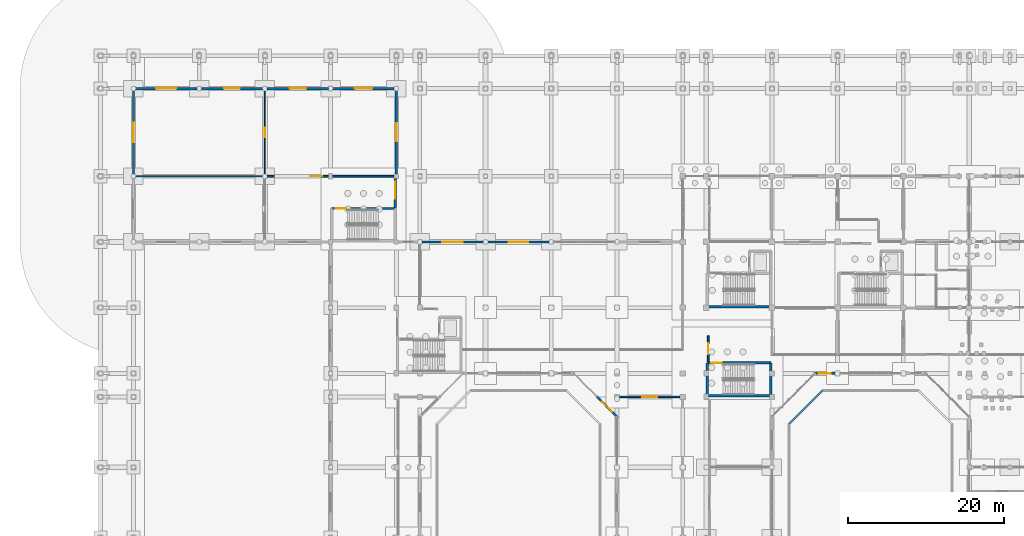
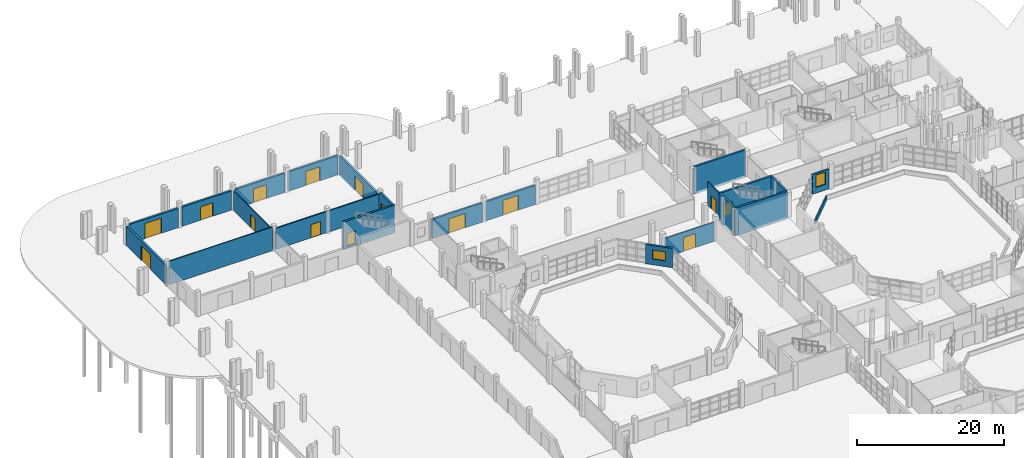
# One storey, part 62 of 88: 23 walls, 15 doors, 2 windows, 17 openings.
"""IFC4 building model written with IfcOpenShell, lengths in metres."""

from ifc_helpers import new_model, si_unit, direction, frame, frame_2d, origin, place, context, subcontext, project, spatial, rectangle, extrude, material, layer, layer_set, type_object, element, fill, save


model = new_model("IFC4")

# Units and contexts
model_context = context("Model", 3, precision=1e-05, world=origin(), true_north=direction((0.0, 1.0)))
body_context = subcontext(model_context, "Body", "Model", "MODEL_VIEW")
ifc_project = project(units=[si_unit("LENGTHUNIT", "METRE"), si_unit("AREAUNIT", "SQUARE_METRE"), si_unit("VOLUMEUNIT", "CUBIC_METRE"), si_unit("PLANEANGLEUNIT", "RADIAN"), si_unit("MASSUNIT", "GRAM", prefix="KILO")], contexts=[model_context])

# Site, building, storey
site_placement = place(None, origin())
site = spatial("IfcSite", under=ifc_project, at=site_placement, CompositionType="ELEMENT")
building_placement = place(site_placement, origin())
building = spatial("IfcBuilding", under=site, at=building_placement, Name="Vanh Quang Courtyard School", CompositionType="ELEMENT")
storey_placement = place(building_placement, origin())
storey = spatial("IfcBuildingStorey", under=building, at=storey_placement, Name="L00", CompositionType="ELEMENT", Elevation=0.0)

# Wall, opening, door
ifc_material_1 = material(Name="Concrete C30/37", Category="concrete")
ifc_layer_1 = layer(ifc_material_1, 0.199951171875)
ifc_layer_set_1 = layer_set([ifc_layer_1], Name="Concrete C30/37")
wall_type_1 = type_object("IfcWallType", Name="W-COMP-200", PredefinedType="PARTITIONING", material=ifc_layer_set_1)
wall_1_placement = place(storey_placement, frame((77.659912109375, 76.199951171875, 0.0), z_axis=(0.0, 0.0, 1.0), x_axis=(0.0, -1.0, 0.0)))
wall_1 = element("IfcWall", 1, at=wall_1_placement, inside=storey, type_object=wall_type_1, Name="Wall W-COMP1 (L00)", PredefinedType="PARTITIONING", context=body_context, shape_type="SweptSolid", body=[
    extrude(rectangle(XDim=3.300048828125, YDim=0.199951171875, at=frame_2d((1.64990234375, 0.0))), origin(), (0.0, 0.0, 1.0), 3.919921875),
])
opening_1_placement = place(wall_1_placement, frame((0.97509765625, 0.0, 0.0)))
opening_1 = element("IfcOpeningElement", 2, at=opening_1_placement, cuts=wall_1, Name="Opening L00-DLB5", PredefinedType="OPENING", context=body_context, shape_type="SweptSolid", body=[
    extrude(rectangle(XDim=1.35009765625, YDim=2.14990234375, at=frame_2d((0.675048828125, 1.074951171875))), frame((0.0, 0.10986328125, 0.0), z_axis=(0.0, -1.0, 0.0), x_axis=(1.0, 0.0, 0.0)), (0.0, 0.0, 1.0), 0.219970703125),
])
ifc_material_2 = material(Name="Painted galvanised steel fire door", Category="steel")
door_type_1 = type_object("IfcDoorType", Name="IDR-ST-1350x2150", OperationType="NOTDEFINED", PredefinedType="DOOR", material=ifc_material_2)
door_1_placement = place(opening_1_placement, origin())
door_1 = element("IfcDoor", 3, at=door_1_placement, inside=storey, type_object=door_type_1, Name="Door L00-DLB5 (L00)", OperationType="SINGLE_SWING_LEFT", OverallHeight=2.14990234375, OverallWidth=1.35009765625, PredefinedType="DOOR", context=body_context, shape_type="SweptSolid", body=[
    extrude(rectangle(XDim=1.35009765625, YDim=2.14990234375, at=frame_2d((0.675048828125, 1.074951171875))), frame((0.0, 0.02490234375, 0.0), z_axis=(0.0, -1.0, 0.0), x_axis=(1.0, 0.0, 0.0)), (0.0, 0.0, 1.0), 0.050048828125),
])
fill(opening_1, door_1)

wall_2_placement = place(storey_placement, frame((37.527099609375, 96.60009765625, 0.0), z_axis=(0.0, 0.0, 1.0), x_axis=(-1.0, 0.0, 0.0)))
wall_2 = element("IfcWall", 4, at=wall_2_placement, inside=storey, type_object=wall_type_1, Name="Wall W-COMP1 (L00)", PredefinedType="PARTITIONING", context=body_context, shape_type="SweptSolid", body=[
    extrude(rectangle(XDim=16.254150390625, YDim=0.199951171875, at=frame_2d((8.126953125, 0.0))), origin(), (0.0, 0.0, 1.0), 3.530029296875),
])
opening_2_placement = place(wall_2_placement, frame((9.201904296875, 0.0, 0.0)))
opening_2 = element("IfcOpeningElement", 5, at=opening_2_placement, cuts=wall_2, Name="Opening L00-D015", PredefinedType="OPENING", context=body_context, shape_type="SweptSolid", body=[
    extrude(rectangle(XDim=1.550048828125, YDim=2.199951171875, at=frame_2d((0.77490234375, 1.10009765625))), frame((0.0, 0.10986328125, 0.0), z_axis=(0.0, -1.0, 0.0), x_axis=(1.0, 0.0, 0.0)), (0.0, 0.0, 1.0), 0.219970703125),
])
door_type_2 = type_object("IfcDoorType", Name="IDR-KIT-1550x2200", OperationType="NOTDEFINED", PredefinedType="DOOR", material=ifc_material_2)
door_2_placement = place(opening_2_placement, origin())
door_2 = element("IfcDoor", 6, at=door_2_placement, inside=storey, type_object=door_type_2, Name="Door L00-D015 (L00)", OperationType="DOUBLE_DOOR_SINGLE_SWING", OverallHeight=2.199951171875, OverallWidth=1.550048828125, PredefinedType="DOOR", context=body_context, shape_type="SweptSolid", body=[
    extrude(rectangle(XDim=1.550048828125, YDim=2.199951171875, at=frame_2d((0.77490234375, 1.10009765625))), frame((0.0, 0.02490234375, 0.0), z_axis=(0.0, -1.0, 0.0), x_axis=(1.0, 0.0, 0.0)), (0.0, 0.0, 1.0), 0.050048828125),
])
fill(opening_2, door_2)

wall_3_placement = place(storey_placement, frame((66.322998046875, 68.39990234375, 0.0), z_axis=(0.0, 0.0, 1.0), x_axis=(1.0, 0.0, 0.0)))
wall_3 = element("IfcWall", 7, at=wall_3_placement, inside=storey, type_object=wall_type_1, Name="Wall W-COMP1 (L00)", PredefinedType="PARTITIONING", context=body_context, shape_type="SweptSolid", body=[
    extrude(rectangle(XDim=7.75390625, YDim=0.199951171875, at=frame_2d((3.876953125, 0.0))), origin(), (0.0, 0.0, 1.0), 3.169921875),
])
opening_3_placement = place(wall_3_placement, frame((2.927001953125, 0.0, 0.0)))
opening_3 = element("IfcOpeningElement", 8, at=opening_3_placement, cuts=wall_3, Name="Opening L00-D018", PredefinedType="OPENING", context=body_context, shape_type="SweptSolid", body=[
    extrude(rectangle(XDim=1.89990234375, YDim=2.300048828125, at=frame_2d((0.949951171875, 1.14990234375))), frame((0.0, 0.10986328125, 0.0), z_axis=(0.0, -1.0, 0.0), x_axis=(1.0, 0.0, 0.0)), (0.0, 0.0, 1.0), 0.219970703125),
])
door_type_3 = type_object("IfcDoorType", Name="IDR-HAL-1900x2300", OperationType="NOTDEFINED", PredefinedType="DOOR", material=ifc_material_2)
door_3_placement = place(opening_3_placement, origin())
door_3 = element("IfcDoor", 9, at=door_3_placement, inside=storey, type_object=door_type_3, Name="Door L00-D018 (L00)", OperationType="DOUBLE_DOOR_SINGLE_SWING", OverallHeight=2.300048828125, OverallWidth=1.89990234375, PredefinedType="DOOR", context=body_context, shape_type="SweptSolid", body=[
    extrude(rectangle(XDim=1.89990234375, YDim=2.300048828125, at=frame_2d((0.949951171875, 1.14990234375))), frame((0.0, 0.02490234375, 0.0), z_axis=(0.0, -1.0, 0.0), x_axis=(1.0, 0.0, 0.0)), (0.0, 0.0, 1.0), 0.050048828125),
])
fill(opening_3, door_3)

# Walls
ifc_material_3 = material(Name="Concrete C35/45", Category="concrete")
ifc_layer_2 = layer(ifc_material_3, 0.300048828125)
ifc_layer_set_2 = layer_set([ifc_layer_2], Name="Concrete C35/45")
wall_type_2 = type_object("IfcWallType", Name="W-CORE-300", PredefinedType="SHEAR", material=ifc_layer_set_2)
for number, where, z_axis, x_axis, name in (
    (10, (77.5400390625, 79.93994140625, -0.39990234375), (0.0, 0.0, 1.0), (1.0, 0.0, 0.0), "Wall W-CORE1 (L00)"),
    (11, (77.5400390625, 68.5400390625, -0.39990234375), (0.0, 0.0, 1.0), (1.0, 0.0, 0.0), "Wall W-CORE1 (L00)"),
):
    element("IfcWall", number, at=place(storey_placement, frame(where, z_axis=z_axis, x_axis=x_axis)), inside=storey, type_object=wall_type_2, Name=name, PredefinedType="SHEAR", context=body_context, shape_type="SweptSolid", body=[
        extrude(rectangle(XDim=8.119873046875, YDim=0.300048828125, at=frame_2d((4.06005859375, 0.0))), origin(), (0.0, 0.0, 1.0), 4.599853515625),
    ])
wall_4_placement = place(storey_placement, frame((85.659912109375, 68.5400390625, -0.39990234375), z_axis=(0.0, 0.0, 1.0), x_axis=(0.0, 1.0, 0.0)))
element("IfcWall", 12, at=wall_4_placement, inside=storey, type_object=wall_type_2, Name="Wall W-CORE1 (L00)", PredefinedType="SHEAR", context=body_context, shape_type="SweptSolid", body=[
    extrude(rectangle(XDim=4.199951171875, YDim=0.300048828125, at=frame_2d((2.10009765625, 0.0))), origin(), (0.0, 0.0, 1.0), 4.599853515625),
])

# Wall, opening, door
wall_5_placement = place(storey_placement, frame((85.659912109375, 72.739990234375, -0.39990234375), z_axis=(0.0, 0.0, 1.0), x_axis=(-1.0, 0.0, 0.0)))
wall_5 = element("IfcWall", 13, at=wall_5_placement, inside=storey, type_object=wall_type_2, Name="Wall W-CORE1 (L00)", PredefinedType="SHEAR", context=body_context, shape_type="SweptSolid", body=[
    extrude(rectangle(XDim=8.119873046875, YDim=0.300048828125, at=frame_2d((4.06005859375, 0.0))), origin(), (0.0, 0.0, 1.0), 4.599853515625),
])
opening_4_placement = place(wall_5_placement, frame((6.27001953125, 0.0, 0.39990234375)))
opening_4 = element("IfcOpeningElement", 14, at=opening_4_placement, cuts=wall_5, Name="Opening L00-DS5", PredefinedType="OPENING", context=body_context, shape_type="SweptSolid", body=[
    extrude(rectangle(XDim=1.35009765625, YDim=2.14990234375, at=frame_2d((0.675048828125, 1.074951171875))), frame((0.0, 0.16015625, 0.0), z_axis=(0.0, -1.0, 0.0), x_axis=(1.0, 0.0, 0.0)), (0.0, 0.0, 1.0), 0.320068359375),
])
door_4_placement = place(opening_4_placement, origin())
door_4 = element("IfcDoor", 15, at=door_4_placement, inside=storey, type_object=door_type_1, Name="Door L00-DS5 (L00)", OperationType="SINGLE_SWING_RIGHT", OverallHeight=2.14990234375, OverallWidth=1.35009765625, PredefinedType="DOOR", context=body_context, shape_type="SweptSolid", body=[
    extrude(rectangle(XDim=1.35009765625, YDim=2.14990234375, at=frame_2d((0.675048828125, 1.074951171875))), frame((0.0, 0.02490234375, 0.0), z_axis=(0.0, -1.0, 0.0), x_axis=(1.0, 0.0, 0.0)), (0.0, 0.0, 1.0), 0.050048828125),
])
fill(opening_4, door_4)

# Wall
wall_6_placement = place(storey_placement, frame((77.5400390625, 72.739990234375, -0.39990234375), z_axis=(0.0, 0.0, 1.0), x_axis=(0.0, -1.0, 0.0)))
element("IfcWall", 16, at=wall_6_placement, inside=storey, type_object=wall_type_2, Name="Wall W-CORE1 (L00)", PredefinedType="SHEAR", context=body_context, shape_type="SweptSolid", body=[
    extrude(rectangle(XDim=4.199951171875, YDim=0.300048828125, at=frame_2d((2.10009765625, 0.0))), origin(), (0.0, 0.0, 1.0), 4.599853515625),
])

# Wall, opening, door
wall_7_placement = place(storey_placement, frame((37.659912109375, 92.47998046875, -0.39990234375), z_axis=(0.0, 0.0, 1.0), x_axis=(-1.0, 0.0, 0.0)))
wall_7 = element("IfcWall", 17, at=wall_7_placement, inside=storey, type_object=wall_type_2, Name="Wall W-CORE1 (L00)", PredefinedType="SHEAR", context=body_context, shape_type="SweptSolid", body=[
    extrude(rectangle(XDim=8.119873046875, YDim=0.300048828125, at=frame_2d((4.06005859375, 0.0))), origin(), (0.0, 0.0, 1.0), 4.599853515625),
])
opening_5_placement = place(wall_7_placement, frame((6.27001953125, 0.0, 0.39990234375)))
opening_5 = element("IfcOpeningElement", 18, at=opening_5_placement, cuts=wall_7, Name="Opening L00-DS7", PredefinedType="OPENING", context=body_context, shape_type="SweptSolid", body=[
    extrude(rectangle(XDim=1.35009765625, YDim=2.14990234375, at=frame_2d((0.675048828125, 1.074951171875))), frame((0.0, 0.16015625, 0.0), z_axis=(0.0, -1.0, 0.0), x_axis=(1.0, 0.0, 0.0)), (0.0, 0.0, 1.0), 0.320068359375),
])
door_5_placement = place(opening_5_placement, origin())
door_5 = element("IfcDoor", 19, at=door_5_placement, inside=storey, type_object=door_type_1, Name="Door L00-DS7 (L00)", OperationType="SINGLE_SWING_RIGHT", OverallHeight=2.14990234375, OverallWidth=1.35009765625, PredefinedType="DOOR", context=body_context, shape_type="SweptSolid", body=[
    extrude(rectangle(XDim=1.35009765625, YDim=2.14990234375, at=frame_2d((0.675048828125, 1.074951171875))), frame((0.0, 0.02490234375, 0.0), z_axis=(0.0, -1.0, 0.0), x_axis=(1.0, 0.0, 0.0)), (0.0, 0.0, 1.0), 0.050048828125),
])
fill(opening_5, door_5)

wall_8_placement = place(storey_placement, frame((37.659912109375, 92.580078125, -0.39990234375), z_axis=(0.0, 0.0, 1.0), x_axis=(0.0, 1.0, 0.0)))
wall_8 = element("IfcWall", 20, at=wall_8_placement, inside=storey, type_object=wall_type_2, Name="Wall W-CORE1 (L00)", PredefinedType="SHEAR", context=body_context, shape_type="SweptSolid", body=[
    extrude(rectangle(XDim=3.699951171875, YDim=0.300048828125, at=frame_2d((1.85009765625, 0.0))), origin(), (0.0, 0.0, 1.0), 4.31982421875),
])
opening_6_placement = place(wall_8_placement, frame((1.125, 0.0, 0.39990234375)))
opening_6 = element("IfcOpeningElement", 21, at=opening_6_placement, cuts=wall_8, Name="Opening L00-EXD7", PredefinedType="OPENING", context=body_context, shape_type="SweptSolid", body=[
    extrude(rectangle(XDim=2.199951171875, YDim=2.35009765625, at=frame_2d((1.10009765625, 1.175048828125))), frame((0.0, 0.16015625, 0.0), z_axis=(0.0, -1.0, 0.0), x_axis=(1.0, 0.0, 0.0)), (0.0, 0.0, 1.0), 0.320068359375),
])
ifc_material_4 = material(Name="Thermally broken aluminium and laminated safety glass", Category="aluminium")
door_type_4 = type_object("IfcDoorType", Name="EDR-TYP-12", OperationType="NOTDEFINED", PredefinedType="DOOR", material=ifc_material_4)
door_6_placement = place(opening_6_placement, origin())
door_6 = element("IfcDoor", 22, at=door_6_placement, inside=storey, type_object=door_type_4, Name="Door L00-EXD7 (L00)", OperationType="SINGLE_SWING_LEFT", OverallHeight=2.35009765625, OverallWidth=2.199951171875, PredefinedType="DOOR", context=body_context, shape_type="SweptSolid", body=[
    extrude(rectangle(XDim=2.199951171875, YDim=2.35009765625, at=frame_2d((1.10009765625, 1.175048828125))), frame((0.0, 0.02490234375, 0.0), z_axis=(0.0, -1.0, 0.0), x_axis=(1.0, 0.0, 0.0)), (0.0, 0.0, 1.0), 0.050048828125),
])
fill(opening_6, door_6)

ifc_layer_3 = layer(ifc_material_3, 0.300048828125)
ifc_layer_set_3 = layer_set([ifc_layer_3], Name="Concrete C35/45")
wall_type_3 = type_object("IfcWallType", Name="W-EXT-300", PredefinedType="SOLIDWALL", material=ifc_layer_set_3)
wall_9_placement = place(storey_placement, frame((4.199951171875, 96.873046875, 0.0), z_axis=(0.0, 0.0, 1.0), x_axis=(0.0, 1.0, 0.0)))
wall_9 = element("IfcWall", 23, at=wall_9_placement, inside=storey, type_object=wall_type_3, Name="Wall WE-01 (L00)", PredefinedType="SOLIDWALL", context=body_context, shape_type="SweptSolid", body=[
    extrude(rectangle(XDim=10.654052734375, YDim=0.300048828125, at=frame_2d((5.3271484375, 0.0))), origin(), (0.0, 0.0, 1.0), 3.219970703125),
])
opening_7_placement = place(wall_9_placement, frame((4.076904296875, 0.0, 0.0)))
opening_7 = element("IfcOpeningElement", 24, at=opening_7_placement, cuts=wall_9, Name="Opening L00-EX12", PredefinedType="OPENING", context=body_context, shape_type="SweptSolid", body=[
    extrude(rectangle(XDim=2.5, YDim=2.5, at=frame_2d((1.25, 1.25))), frame((0.0, 0.16015625, 0.0), z_axis=(0.0, -1.0, 0.0), x_axis=(1.0, 0.0, 0.0)), (0.0, 0.0, 1.0), 0.320068359375),
])
door_type_5 = type_object("IfcDoorType", Name="EDR-TYP-15", OperationType="NOTDEFINED", PredefinedType="DOOR", material=ifc_material_4)
door_7_placement = place(opening_7_placement, origin())
door_7 = element("IfcDoor", 25, at=door_7_placement, inside=storey, type_object=door_type_5, Name="Door L00-EX12 (L00)", OperationType="DOUBLE_DOOR_SINGLE_SWING", OverallHeight=2.5, OverallWidth=2.5, PredefinedType="DOOR", context=body_context, shape_type="SweptSolid", body=[
    extrude(rectangle(XDim=2.5, YDim=2.5, at=frame_2d((1.25, 1.25))), frame((0.0, 0.02490234375, 0.0), z_axis=(0.0, -1.0, 0.0), x_axis=(1.0, 0.0, 0.0)), (0.0, 0.0, 1.0), 0.050048828125),
])
fill(opening_7, door_7)

wall_10_placement = place(storey_placement, frame((4.472900390625, 107.800048828125, 0.0), z_axis=(0.0, 0.0, 1.0), x_axis=(1.0, 0.0, 0.0)))
wall_10 = element("IfcWall", 26, at=wall_10_placement, inside=storey, type_object=wall_type_3, Name="Wall WE-01 (L00)", PredefinedType="SOLIDWALL", context=body_context, shape_type="SweptSolid", body=[
    extrude(rectangle(XDim=7.85400390625, YDim=0.300048828125, at=frame_2d((3.927001953125, 0.0))), origin(), (0.0, 0.0, 1.0), 3.219970703125),
])
opening_8_placement = place(wall_10_placement, frame((2.626953125, 0.0, 0.0)))
opening_8 = element("IfcOpeningElement", 27, at=opening_8_placement, cuts=wall_10, Name="Opening L00-EX13", PredefinedType="OPENING", context=body_context, shape_type="SweptSolid", body=[
    extrude(rectangle(XDim=2.60009765625, YDim=2.550048828125, at=frame_2d((1.300048828125, 1.27490234375))), frame((0.0, 0.16015625, 0.0), z_axis=(0.0, -1.0, 0.0), x_axis=(1.0, 0.0, 0.0)), (0.0, 0.0, 1.0), 0.320068359375),
])
door_type_6 = type_object("IfcDoorType", Name="EDR-TYP-16", OperationType="NOTDEFINED", PredefinedType="DOOR", material=ifc_material_4)
door_8_placement = place(opening_8_placement, origin())
door_8 = element("IfcDoor", 28, at=door_8_placement, inside=storey, type_object=door_type_6, Name="Door L00-EX13 (L00)", OperationType="DOUBLE_DOOR_SINGLE_SWING", OverallHeight=2.550048828125, OverallWidth=2.60009765625, PredefinedType="DOOR", context=body_context, shape_type="SweptSolid", body=[
    extrude(rectangle(XDim=2.60009765625, YDim=2.550048828125, at=frame_2d((1.300048828125, 1.27490234375))), frame((0.0, 0.02490234375, 0.0), z_axis=(0.0, -1.0, 0.0), x_axis=(1.0, 0.0, 0.0)), (0.0, 0.0, 1.0), 0.050048828125),
])
fill(opening_8, door_8)

wall_11_placement = place(storey_placement, frame((12.873046875, 107.800048828125, 0.0), z_axis=(0.0, 0.0, 1.0), x_axis=(1.0, 0.0, 0.0)))
wall_11 = element("IfcWall", 29, at=wall_11_placement, inside=storey, type_object=wall_type_3, Name="Wall WE-01 (L00)", PredefinedType="SOLIDWALL", context=body_context, shape_type="SweptSolid", body=[
    extrude(rectangle(XDim=7.85400390625, YDim=0.300048828125, at=frame_2d((3.927001953125, 0.0))), origin(), (0.0, 0.0, 1.0), 3.219970703125),
])
opening_9_placement = place(wall_11_placement, frame((2.927001953125, 0.0, 0.0)))
opening_9 = element("IfcOpeningElement", 30, at=opening_9_placement, cuts=wall_11, Name="Opening L00-EX14", PredefinedType="OPENING", context=body_context, shape_type="SweptSolid", body=[
    extrude(rectangle(XDim=2.0, YDim=2.25, at=frame_2d((1.0, 1.125))), frame((0.0, 0.16015625, 0.0), z_axis=(0.0, -1.0, 0.0), x_axis=(1.0, 0.0, 0.0)), (0.0, 0.0, 1.0), 0.320068359375),
])
door_type_7 = type_object("IfcDoorType", Name="EDR-TYP-10", OperationType="NOTDEFINED", PredefinedType="DOOR", material=ifc_material_4)
door_9_placement = place(opening_9_placement, origin())
door_9 = element("IfcDoor", 31, at=door_9_placement, inside=storey, type_object=door_type_7, Name="Door L00-EX14 (L00)", OperationType="DOUBLE_DOOR_SINGLE_SWING", OverallHeight=2.25, OverallWidth=2.0, PredefinedType="DOOR", context=body_context, shape_type="SweptSolid", body=[
    extrude(rectangle(XDim=2.0, YDim=2.25, at=frame_2d((1.0, 1.125))), frame((0.0, 0.02490234375, 0.0), z_axis=(0.0, -1.0, 0.0), x_axis=(1.0, 0.0, 0.0)), (0.0, 0.0, 1.0), 0.050048828125),
])
fill(opening_9, door_9)

wall_12_placement = place(storey_placement, frame((21.27294921875, 107.800048828125, 0.0), z_axis=(0.0, 0.0, 1.0), x_axis=(1.0, 0.0, 0.0)))
wall_12 = element("IfcWall", 32, at=wall_12_placement, inside=storey, type_object=wall_type_3, Name="Wall WE-01 (L00)", PredefinedType="SOLIDWALL", context=body_context, shape_type="SweptSolid", body=[
    extrude(rectangle(XDim=7.879150390625, YDim=0.300048828125, at=frame_2d((3.939453125, 0.0))), origin(), (0.0, 0.0, 1.0), 3.219970703125),
])
opening_10_placement = place(wall_12_placement, frame((2.889404296875, 0.0, 0.0)))
opening_10 = element("IfcOpeningElement", 33, at=opening_10_placement, cuts=wall_12, Name="Opening L00-EX15", PredefinedType="OPENING", context=body_context, shape_type="SweptSolid", body=[
    extrude(rectangle(XDim=2.10009765625, YDim=2.300048828125, at=frame_2d((1.050048828125, 1.14990234375))), frame((0.0, 0.16015625, 0.0), z_axis=(0.0, -1.0, 0.0), x_axis=(1.0, 0.0, 0.0)), (0.0, 0.0, 1.0), 0.320068359375),
])
door_type_8 = type_object("IfcDoorType", Name="EDR-TYP-11", OperationType="NOTDEFINED", PredefinedType="DOOR", material=ifc_material_4)
door_10_placement = place(opening_10_placement, origin())
door_10 = element("IfcDoor", 34, at=door_10_placement, inside=storey, type_object=door_type_8, Name="Door L00-EX15 (L00)", OperationType="DOUBLE_DOOR_SINGLE_SWING", OverallHeight=2.300048828125, OverallWidth=2.10009765625, PredefinedType="DOOR", context=body_context, shape_type="SweptSolid", body=[
    extrude(rectangle(XDim=2.10009765625, YDim=2.300048828125, at=frame_2d((1.050048828125, 1.14990234375))), frame((0.0, 0.02490234375, 0.0), z_axis=(0.0, -1.0, 0.0), x_axis=(1.0, 0.0, 0.0)), (0.0, 0.0, 1.0), 0.050048828125),
])
fill(opening_10, door_10)

wall_13_placement = place(storey_placement, frame((29.64794921875, 107.800048828125, 0.0), z_axis=(0.0, 0.0, 1.0), x_axis=(1.0, 0.0, 0.0)))
wall_13 = element("IfcWall", 35, at=wall_13_placement, inside=storey, type_object=wall_type_3, Name="Wall WE-01 (L00)", PredefinedType="SOLIDWALL", context=body_context, shape_type="SweptSolid", body=[
    extrude(rectangle(XDim=7.879150390625, YDim=0.300048828125, at=frame_2d((3.939453125, 0.0))), origin(), (0.0, 0.0, 1.0), 3.219970703125),
])
opening_11_placement = place(wall_13_placement, frame((2.839599609375, 0.0, 0.0)))
opening_11 = element("IfcOpeningElement", 36, at=opening_11_placement, cuts=wall_13, Name="Opening L00-EX16", PredefinedType="OPENING", context=body_context, shape_type="SweptSolid", body=[
    extrude(rectangle(XDim=2.199951171875, YDim=2.35009765625, at=frame_2d((1.10009765625, 1.175048828125))), frame((0.0, 0.16015625, 0.0), z_axis=(0.0, -1.0, 0.0), x_axis=(1.0, 0.0, 0.0)), (0.0, 0.0, 1.0), 0.320068359375),
])
door_11_placement = place(opening_11_placement, origin())
door_11 = element("IfcDoor", 37, at=door_11_placement, inside=storey, type_object=door_type_4, Name="Door L00-EX16 (L00)", OperationType="DOUBLE_DOOR_SINGLE_SWING", OverallHeight=2.35009765625, OverallWidth=2.199951171875, PredefinedType="DOOR", context=body_context, shape_type="SweptSolid", body=[
    extrude(rectangle(XDim=2.199951171875, YDim=2.35009765625, at=frame_2d((1.10009765625, 1.175048828125))), frame((0.0, 0.02490234375, 0.0), z_axis=(0.0, -1.0, 0.0), x_axis=(1.0, 0.0, 0.0)), (0.0, 0.0, 1.0), 0.050048828125),
])
fill(opening_11, door_11)

wall_14_placement = place(storey_placement, frame((37.800048828125, 107.527099609375, 0.0), z_axis=(0.0, 0.0, 1.0), x_axis=(0.0, -1.0, 0.0)))
wall_14 = element("IfcWall", 38, at=wall_14_placement, inside=storey, type_object=wall_type_3, Name="Wall WE-01 (L00)", PredefinedType="SOLIDWALL", context=body_context, shape_type="SweptSolid", body=[
    extrude(rectangle(XDim=10.654052734375, YDim=0.300048828125, at=frame_2d((5.3271484375, 0.0))), origin(), (0.0, 0.0, 1.0), 3.219970703125),
])
opening_12_placement = place(wall_14_placement, frame((4.177001953125, 0.0, 0.0)))
opening_12 = element("IfcOpeningElement", 39, at=opening_12_placement, cuts=wall_14, Name="Opening L00-EX17", PredefinedType="OPENING", context=body_context, shape_type="SweptSolid", body=[
    extrude(rectangle(XDim=2.300048828125, YDim=2.39990234375, at=frame_2d((1.14990234375, 1.199951171875))), frame((0.0, 0.16015625, 0.0), z_axis=(0.0, -1.0, 0.0), x_axis=(1.0, 0.0, 0.0)), (0.0, 0.0, 1.0), 0.320068359375),
])
door_type_9 = type_object("IfcDoorType", Name="EDR-TYP-13", OperationType="NOTDEFINED", PredefinedType="DOOR", material=ifc_material_4)
door_12_placement = place(opening_12_placement, origin())
door_12 = element("IfcDoor", 40, at=door_12_placement, inside=storey, type_object=door_type_9, Name="Door L00-EX17 (L00)", OperationType="DOUBLE_DOOR_SINGLE_SWING", OverallHeight=2.39990234375, OverallWidth=2.300048828125, PredefinedType="DOOR", context=body_context, shape_type="SweptSolid", body=[
    extrude(rectangle(XDim=2.300048828125, YDim=2.39990234375, at=frame_2d((1.14990234375, 1.199951171875))), frame((0.0, 0.02490234375, 0.0), z_axis=(0.0, -1.0, 0.0), x_axis=(1.0, 0.0, 0.0)), (0.0, 0.0, 1.0), 0.050048828125),
])
fill(opening_12, door_12)

wall_15_placement = place(storey_placement, frame((41.048095703125, 88.199951171875, 0.0), z_axis=(0.0, 0.0, 1.0), x_axis=(1.0, 0.0, 0.0)))
wall_15 = element("IfcWall", 41, at=wall_15_placement, inside=storey, type_object=wall_type_3, Name="Wall WE-01 (L00)", PredefinedType="SOLIDWALL", context=body_context, shape_type="SweptSolid", body=[
    extrude(rectangle(XDim=7.87890625, YDim=0.300048828125, at=frame_2d((3.939453125, 0.0))), origin(), (0.0, 0.0, 1.0), 3.219970703125),
])
opening_13_placement = place(wall_15_placement, frame((2.639404296875, 0.0, 0.0)))
opening_13 = element("IfcOpeningElement", 42, at=opening_13_placement, cuts=wall_15, Name="Opening L00-GT01", PredefinedType="OPENING", context=body_context, shape_type="SweptSolid", body=[
    extrude(rectangle(XDim=2.60009765625, YDim=2.39990234375, at=frame_2d((1.300048828125, 1.199951171875))), frame((0.0, 0.16015625, 0.0), z_axis=(0.0, -1.0, 0.0), x_axis=(1.0, 0.0, 0.0)), (0.0, 0.0, 1.0), 0.320068359375),
])
door_type_10 = type_object("IfcDoorType", Name="EDR-TYP-18", OperationType="NOTDEFINED", PredefinedType="GATE", material=ifc_material_4)
door_13_placement = place(opening_13_placement, origin())
door_13 = element("IfcDoor", 43, at=door_13_placement, inside=storey, type_object=door_type_10, Name="Door L00-GT01 (L00)", OperationType="DOUBLE_DOOR_SINGLE_SWING", OverallHeight=2.39990234375, OverallWidth=2.60009765625, PredefinedType="GATE", context=body_context, shape_type="SweptSolid", body=[
    extrude(rectangle(XDim=2.60009765625, YDim=2.39990234375, at=frame_2d((1.300048828125, 1.199951171875))), frame((0.0, 0.02490234375, 0.0), z_axis=(0.0, -1.0, 0.0), x_axis=(1.0, 0.0, 0.0)), (0.0, 0.0, 1.0), 0.050048828125),
])
fill(opening_13, door_13)

wall_16_placement = place(storey_placement, frame((49.472900390625, 88.199951171875, 0.0), z_axis=(0.0, 0.0, 1.0), x_axis=(1.0, 0.0, 0.0)))
wall_16 = element("IfcWall", 44, at=wall_16_placement, inside=storey, type_object=wall_type_3, Name="Wall WE-01 (L00)", PredefinedType="SOLIDWALL", context=body_context, shape_type="SweptSolid", body=[
    extrude(rectangle(XDim=7.85400390625, YDim=0.300048828125, at=frame_2d((3.927001953125, 0.0))), origin(), (0.0, 0.0, 1.0), 3.219970703125),
])
opening_14_placement = place(wall_16_placement, frame((2.677001953125, 0.0, 0.0)))
opening_14 = element("IfcOpeningElement", 45, at=opening_14_placement, cuts=wall_16, Name="Opening L00-EX18", PredefinedType="OPENING", context=body_context, shape_type="SweptSolid", body=[
    extrude(rectangle(XDim=2.5, YDim=2.5, at=frame_2d((1.25, 1.25))), frame((0.0, 0.16015625, 0.0), z_axis=(0.0, -1.0, 0.0), x_axis=(1.0, 0.0, 0.0)), (0.0, 0.0, 1.0), 0.320068359375),
])
door_14_placement = place(opening_14_placement, origin())
door_14 = element("IfcDoor", 46, at=door_14_placement, inside=storey, type_object=door_type_5, Name="Door L00-EX18 (L00)", OperationType="DOUBLE_DOOR_SINGLE_SWING", OverallHeight=2.5, OverallWidth=2.5, PredefinedType="DOOR", context=body_context, shape_type="SweptSolid", body=[
    extrude(rectangle(XDim=2.5, YDim=2.5, at=frame_2d((1.25, 1.25))), frame((0.0, 0.02490234375, 0.0), z_axis=(0.0, -1.0, 0.0), x_axis=(1.0, 0.0, 0.0)), (0.0, 0.0, 1.0), 0.050048828125),
])
fill(opening_14, door_14)

# Wall, opening, window
wall_17_placement = place(storey_placement, frame((66.0849609375, 65.77099609375, 0.0), z_axis=(0.0, 0.0, 1.0), x_axis=(-0.707106781187, 0.707106781187, 0.0)))
wall_17 = element("IfcWall", 47, at=wall_17_placement, inside=storey, type_object=wall_type_3, Name="Wall WE-01 (L00)", PredefinedType="SOLIDWALL", context=body_context, shape_type="SweptSolid", body=[
    extrude(rectangle(XDim=3.837890625, YDim=0.300048828125, at=frame_2d((1.9189453125, 0.0))), origin(), (0.0, 0.0, 1.0), 3.219970703125),
])
opening_15_placement = place(wall_17_placement, frame((1.018798828125, 0.0, 0.949951171875)))
opening_15 = element("IfcOpeningElement", 48, at=opening_15_placement, cuts=wall_17, Name="Opening WN-12", PredefinedType="OPENING", context=body_context, shape_type="SweptSolid", body=[
    extrude(rectangle(XDim=1.800048828125, YDim=1.5, at=frame_2d((0.89990234375, 0.75))), frame((0.0, 0.16015625, 0.0), z_axis=(0.0, -1.0, 0.0), x_axis=(1.0, 0.0, 0.0)), (0.0, 0.0, 1.0), 0.320068359375),
])
ifc_material_5 = material(Name="Anodised aluminium and low-E double glazing", Category="aluminium")
window_type_1 = type_object("IfcWindowType", Name="WIN-TYP-12", PartitioningType="SINGLE_PANEL", PredefinedType="WINDOW", material=ifc_material_5)
window_1_placement = place(opening_15_placement, origin())
window_1 = element("IfcWindow", 49, at=window_1_placement, inside=storey, type_object=window_type_1, Name="Window WN-12 (L00)", OverallHeight=1.5, OverallWidth=1.800048828125, PartitioningType="SINGLE_PANEL", PredefinedType="WINDOW", context=body_context, shape_type="SweptSolid", body=[
    extrude(rectangle(XDim=1.800048828125, YDim=1.5, at=frame_2d((0.89990234375, 0.75))), frame((0.0, 0.030029296875, 0.0), z_axis=(0.0, -1.0, 0.0), x_axis=(1.0, 0.0, 0.0)), (0.0, 0.0, 1.0), 0.06005859375),
])
fill(opening_15, window_1)

wall_18_placement = place(storey_placement, frame((93.876953125, 71.39990234375, 0.0), z_axis=(0.0, 0.0, 1.0), x_axis=(-1.0, 0.0, 0.0)))
wall_18 = element("IfcWall", 50, at=wall_18_placement, inside=storey, type_object=wall_type_3, Name="Wall WE-01 (L00)", PredefinedType="SOLIDWALL", context=body_context, shape_type="SweptSolid", body=[
    extrude(rectangle(XDim=2.65283203125, YDim=0.300048828125, at=frame_2d((1.326416015625, 0.0))), origin(), (0.0, 0.0, 1.0), 3.27001953125),
])
opening_16_placement = place(wall_18_placement, frame((0.576416015625, 0.0, 0.949951171875)))
opening_16 = element("IfcOpeningElement", 51, at=opening_16_placement, cuts=wall_18, Name="Opening WN-29", PredefinedType="OPENING", context=body_context, shape_type="SweptSolid", body=[
    extrude(rectangle(XDim=1.5, YDim=2.050048828125, at=frame_2d((0.75, 1.02490234375))), frame((0.0, 0.16015625, 0.0), z_axis=(0.0, -1.0, 0.0), x_axis=(1.0, 0.0, 0.0)), (0.0, 0.0, 1.0), 0.320068359375),
])
window_type_2 = type_object("IfcWindowType", Name="WIN-TYP-29", PartitioningType="SINGLE_PANEL", PredefinedType="WINDOW", material=ifc_material_5)
window_2_placement = place(opening_16_placement, origin())
window_2 = element("IfcWindow", 52, at=window_2_placement, inside=storey, type_object=window_type_2, Name="Window WN-29 (L00)", OverallHeight=2.050048828125, OverallWidth=1.5, PartitioningType="SINGLE_PANEL", PredefinedType="WINDOW", context=body_context, shape_type="SweptSolid", body=[
    extrude(rectangle(XDim=1.5, YDim=2.050048828125, at=frame_2d((0.75, 1.02490234375))), frame((0.0, 0.030029296875, 0.0), z_axis=(0.0, -1.0, 0.0), x_axis=(1.0, 0.0, 0.0)), (0.0, 0.0, 1.0), 0.06005859375),
])
fill(opening_16, window_2)

# Walls
ifc_layer_4 = layer(ifc_material_3, 0.199951171875)
ifc_layer_set_4 = layer_set([ifc_layer_4], Name="Concrete C35/45")
wall_type_4 = type_object("IfcWallType", Name="W-PAR-200", PredefinedType="PARAPET", material=ifc_layer_set_4)
wall_19_placement = place(storey_placement, frame((88.0, 64.944580078125, 0.0), z_axis=(0.0, 0.0, 1.0), x_axis=(0.707106781187, 0.707106781187, 0.0)))
element("IfcWall", 53, at=wall_19_placement, inside=storey, type_object=wall_type_4, Name="Wall WP-01 (L00)", PredefinedType="PARAPET", context=body_context, shape_type="SweptSolid", body=[
    extrude(rectangle(XDim=6.01806640625, YDim=0.199951171875, at=frame_2d((3.009033203125, 0.0))), origin(), (0.0, 0.0, 1.0), 0.679931640625),
])
ifc_material_6 = material(Name="Autoclaved aerated masonry blockwork", Category="masonry")
ifc_layer_5 = layer(ifc_material_6, 0.14990234375)
ifc_layer_set_5 = layer_set([ifc_layer_5], Name="Autoclaved aerated masonry blockwork")
wall_type_5 = type_object("IfcWallType", Name="W-PART-150", PredefinedType="PARTITIONING", material=ifc_layer_set_5)
wall_20_placement = place(storey_placement, frame((4.472900390625, 96.60009765625, 0.0), z_axis=(0.0, 0.0, 1.0), x_axis=(1.0, 0.0, 0.0)))
element("IfcWall", 54, at=wall_20_placement, inside=storey, type_object=wall_type_5, Name="Wall W-PRT1 (L00)", PredefinedType="PARTITIONING", context=body_context, shape_type="SweptSolid", body=[
    extrude(rectangle(XDim=16.254150390625, YDim=0.14990234375, at=frame_2d((8.126953125, 0.0))), origin(), (0.0, 0.0, 1.0), 3.919921875),
])

# Wall, opening, door
wall_21_placement = place(storey_placement, frame((21.0, 107.527099609375, 0.0), z_axis=(0.0, 0.0, 1.0), x_axis=(0.0, -1.0, 0.0)))
wall_21 = element("IfcWall", 55, at=wall_21_placement, inside=storey, type_object=wall_type_5, Name="Wall W-PRT1 (L00)", PredefinedType="PARTITIONING", context=body_context, shape_type="SweptSolid", body=[
    extrude(rectangle(XDim=10.654052734375, YDim=0.14990234375, at=frame_2d((5.3271484375, 0.0))), origin(), (0.0, 0.0, 1.0), 3.219970703125),
])
opening_17_placement = place(wall_21_placement, frame((4.72705078125, 0.0, 0.0)))
opening_17 = element("IfcOpeningElement", 56, at=opening_17_placement, cuts=wall_21, Name="Opening L00-D014", PredefinedType="OPENING", context=body_context, shape_type="SweptSolid", body=[
    extrude(rectangle(XDim=1.199951171875, YDim=2.14990234375, at=frame_2d((0.60009765625, 1.074951171875))), frame((0.0, 0.0849609375, 0.0), z_axis=(0.0, -1.0, 0.0), x_axis=(1.0, 0.0, 0.0)), (0.0, 0.0, 1.0), 0.169921875),
])
door_type_11 = type_object("IfcDoorType", Name="IDR-FD-1200x2150", OperationType="NOTDEFINED", PredefinedType="DOOR", material=ifc_material_2)
door_15_placement = place(opening_17_placement, origin())
door_15 = element("IfcDoor", 57, at=door_15_placement, inside=storey, type_object=door_type_11, Name="Door L00-D014 (L00)", OperationType="SINGLE_SWING_LEFT", OverallHeight=2.14990234375, OverallWidth=1.199951171875, PredefinedType="DOOR", context=body_context, shape_type="SweptSolid", body=[
    extrude(rectangle(XDim=1.199951171875, YDim=2.14990234375, at=frame_2d((0.60009765625, 1.074951171875))), frame((0.0, 0.02490234375, 0.0), z_axis=(0.0, -1.0, 0.0), x_axis=(1.0, 0.0, 0.0)), (0.0, 0.0, 1.0), 0.050048828125),
])
fill(opening_17, door_15)

save(model, "model.ifc")
